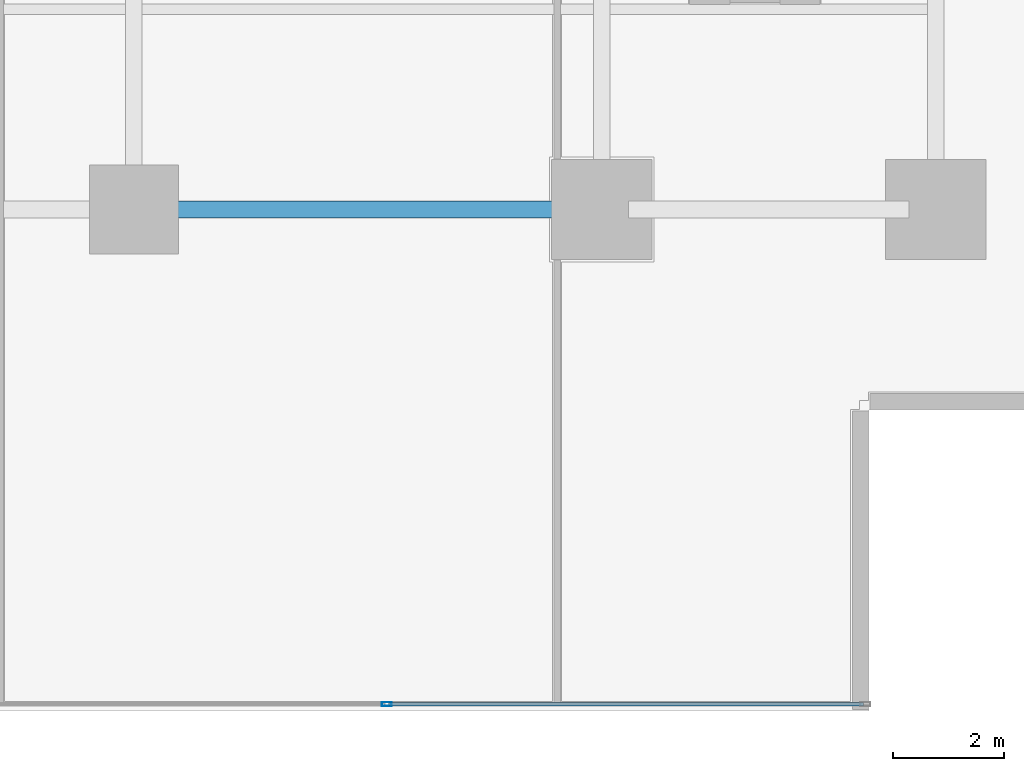
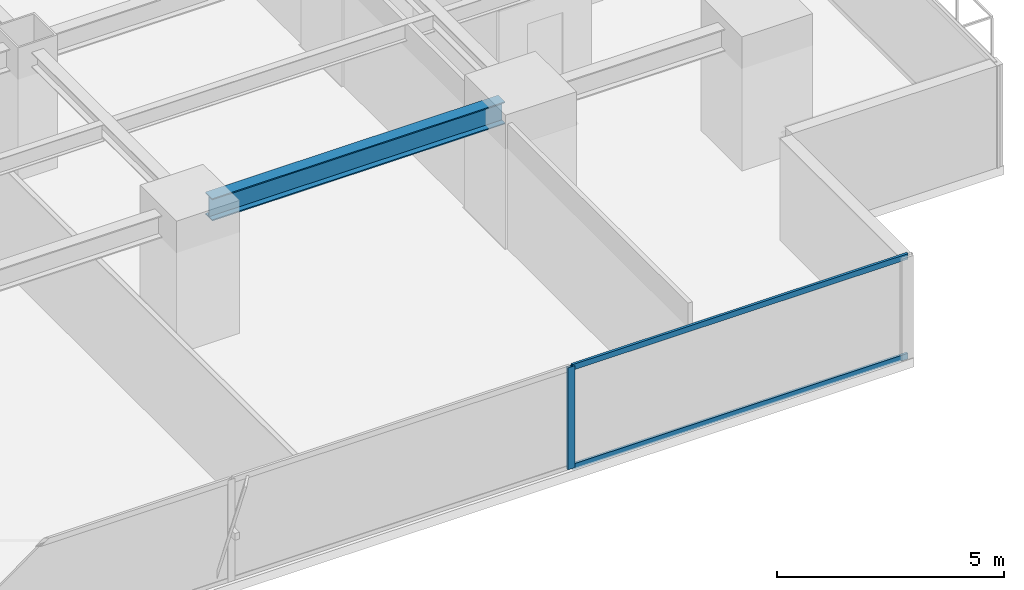
# One storey, part 11 of 33: 3 members, 1 beam, 1 element without a shape of its own.
"""IFC4 building model written with IfcOpenShell, lengths in metres."""

from ifc_helpers import new_model, si_unit, direction, frame, origin, origin_2d, place, context, subcontext, project, spatial, hollow_rectangle, i_section, extrude, source, transform, mapped, material, layer, layer_set, material_profile, profile_set, type_object, element, aggregate, save


model = new_model("IFC4")

# Units and contexts
model_context = context("Model", 3, precision=1e-05, world=origin(), true_north=direction((0.0, 1.0)))
body_context = subcontext(model_context, "Body", "Model", "MODEL_VIEW")
ifc_project = project(units=[si_unit("LENGTHUNIT", "METRE"), si_unit("AREAUNIT", "SQUARE_METRE"), si_unit("VOLUMEUNIT", "CUBIC_METRE"), si_unit("PLANEANGLEUNIT", "RADIAN"), si_unit("MASSUNIT", "GRAM", prefix="KILO")], contexts=[model_context])

# Site, building, storey
site_placement = place(None, origin())
site = spatial("IfcSite", under=ifc_project, at=site_placement, CompositionType="ELEMENT")
building_placement = place(site_placement, origin())
building = spatial("IfcBuilding", under=site, at=building_placement, Name="Sumidabori Civic Tower", CompositionType="ELEMENT")
storey_placement = place(building_placement, frame((0.0, 0.0, 23.60009765625)))
storey = spatial("IfcBuildingStorey", under=building, at=storey_placement, Name="L05", CompositionType="ELEMENT", Elevation=23.60009765625)

# Beam
ifc_material_1 = material(Name="Steel SN490", Category="steel")
ifc_material_profile_1 = material_profile(ifc_material_1, i_section(OverallWidth=0.300048828125, OverallDepth=0.60009765625, WebThickness=0.015380859375, FlangeThickness=0.030029296875, at=origin_2d()), Name="HE 600 B")
ifc_profile_set_1 = profile_set([ifc_material_profile_1], Name="Steel SN490")
beam_type = type_object("IfcBeamType", Name="BM-GIRD-600", PredefinedType="BEAM", material=ifc_profile_set_1)
shared_shape_1 = source(origin(), body_context, "Body", "SweptSolid", [
    extrude(i_section(OverallWidth=0.300048828125, OverallDepth=0.60009765625, WebThickness=0.015380859375, FlangeThickness=0.030029296875, at=origin_2d()), origin(), (0.0, 0.0, 1.0), 7.440185546875),
])
beam_placement = place(storey_placement, frame((8.8798828125, -18.0, 3.059814453125), z_axis=(1.0, 0.0, 0.0), x_axis=(0.0, 1.0, 0.0)))
element("IfcBeam", 1, at=beam_placement, inside=storey, type_object=beam_type, Name="Primary Girder L05 GX-05", PredefinedType="BEAM", context=body_context, shape_type="MappedRepresentation", body=[
    mapped(shared_shape_1, transform((0.0, 0.0, 0.0), x_axis=(1.0, 0.0, 0.0), y_axis=(0.0, 1.0, 0.0), z_axis=(0.0, 0.0, 1.0), scale=1.0)),
])

# Curtain wall, members
ifc_material_2 = material(Name="Anodised Bronze Aluminium AW-6063-T6", Category="aluminium")
ifc_layer = layer(ifc_material_2, 0.179931640625, Name="Anodised Bronze Aluminium AW-6063-T6")
ifc_layer_set = layer_set([ifc_layer], Name="Anodised Bronze Aluminium AW-6063-T6")
curtain_wall_type = type_object("IfcCurtainWallType", Name="CW-SYS-2", PredefinedType="NOTDEFINED", material=ifc_layer_set)
curtain_wall_placement = place(storey_placement, origin())
curtain_wall = element("IfcCurtainWall", 2, at=curtain_wall_placement, inside=storey, type_object=curtain_wall_type, Name="Curtain Wall CW:L05:R01", PredefinedType="NOTDEFINED")
ifc_material_profile_2 = material_profile(ifc_material_2, hollow_rectangle(XDim=0.070068359375, YDim=0.179931640625, WallThickness=0.006103515625, at=origin_2d()), Name="ALU MULLION 180x70")
ifc_profile_set_2 = profile_set([ifc_material_profile_2], Name="Anodised Bronze Aluminium AW-6063-T6")
member_type_1 = type_object("IfcMemberType", Name="CW-MUL-180", PredefinedType="MULLION", material=ifc_profile_set_2)
shared_shape_2 = source(origin(), body_context, "Body", "SweptSolid", [
    extrude(hollow_rectangle(XDim=0.070068359375, YDim=0.179931640625, WallThickness=0.006103515625, at=origin_2d()), origin(), (0.0, 0.0, 1.0), 2.739990234375),
])
member_1_placement = place(storey_placement, frame((12.94189453125, -26.8798828125, 0.0), z_axis=(0.0, 0.0, 1.0), x_axis=(0.0, 1.0, 0.0)))
member_1 = element("IfcMember", 3, at=member_1_placement, type_object=member_type_1, Name="CW-2 mullion 5", PredefinedType="MULLION", context=body_context, shape_type="MappedRepresentation", body=[
    mapped(shared_shape_2, transform((0.0, 0.0, 0.0), x_axis=(1.0, 0.0, 0.0), y_axis=(0.0, 1.0, 0.0), z_axis=(0.0, 0.0, 1.0), scale=1.0)),
])
ifc_material_profile_3 = material_profile(ifc_material_2, hollow_rectangle(XDim=0.06494140625, YDim=0.14990234375, WallThickness=0.0048828125, at=origin_2d()), Name="ALU TRANSOM 150x65")
ifc_profile_set_3 = profile_set([ifc_material_profile_3], Name="Anodised Bronze Aluminium AW-6063-T6")
member_type_2 = type_object("IfcMemberType", Name="CW-TRN-150", PredefinedType="USERDEFINED", material=ifc_profile_set_3)
shared_shape_3 = source(origin(), body_context, "Body", "SweptSolid", [
    extrude(hollow_rectangle(XDim=0.06494140625, YDim=0.14990234375, WallThickness=0.0048828125, at=origin_2d()), origin(), (0.0, 0.0, 1.0), 8.52294921875),
])
member_2_placement = place(storey_placement, frame((12.97705078125, -26.8798828125, 0.032470703125), z_axis=(1.0, 0.0, 0.0), x_axis=(0.0, 1.0, 0.0)))
member_2 = element("IfcMember", 4, at=member_2_placement, type_object=member_type_2, Name="CW-2 transom 5.1", ObjectType="TRANSOM", PredefinedType="USERDEFINED", context=body_context, shape_type="MappedRepresentation", body=[
    mapped(shared_shape_3, transform((0.0, 0.0, 0.0), x_axis=(1.0, 0.0, 0.0), y_axis=(0.0, 1.0, 0.0), z_axis=(0.0, 0.0, 1.0), scale=1.0)),
])
member_3_placement = place(storey_placement, frame((12.97705078125, -26.8798828125, 2.70751953125), z_axis=(1.0, 0.0, 0.0), x_axis=(0.0, 1.0, 0.0)))
member_3 = element("IfcMember", 5, at=member_3_placement, type_object=member_type_2, Name="CW-2 transom 5.2", ObjectType="TRANSOM", PredefinedType="USERDEFINED", context=body_context, shape_type="MappedRepresentation", body=[
    mapped(shared_shape_3, transform((0.0, 0.0, 0.0), x_axis=(1.0, 0.0, 0.0), y_axis=(0.0, 1.0, 0.0), z_axis=(0.0, 0.0, 1.0), scale=1.0)),
])
aggregate(curtain_wall, [member_1, member_2, member_3])

save(model, "model.ifc")
